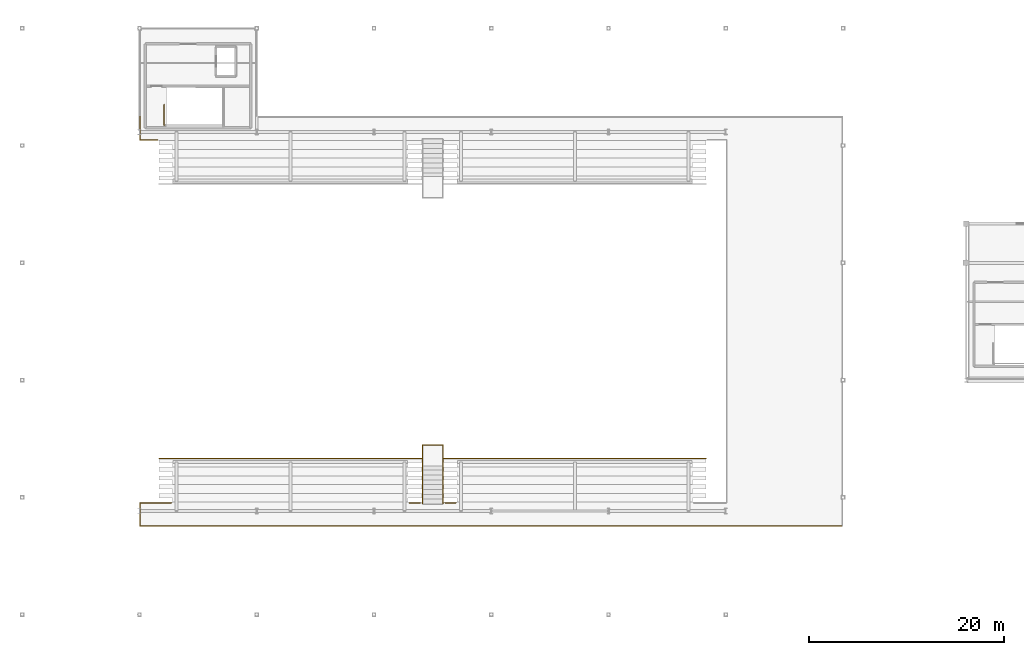
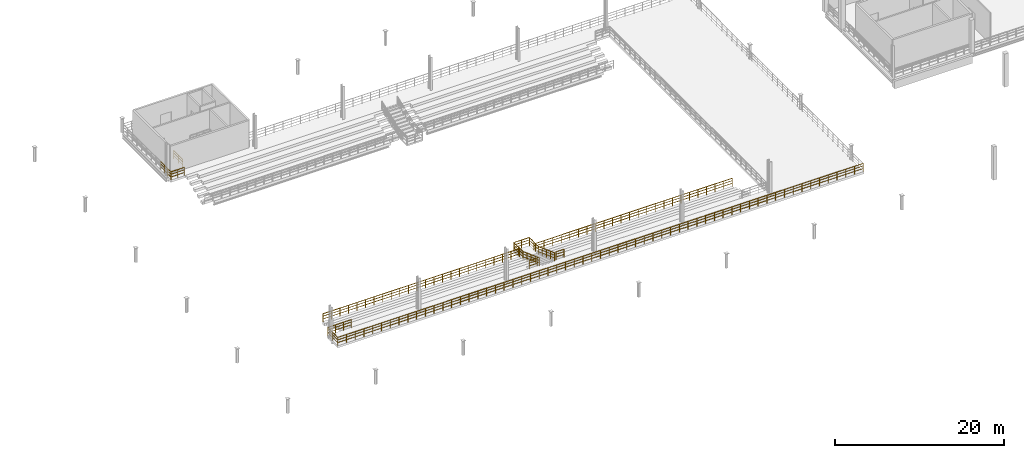
# One storey, part 45 of 52: 15 railings.
"""IFC4 building model written with IfcOpenShell, lengths in metres."""

from ifc_helpers import new_model, si_unit, direction, frame, origin, origin_2d, place, context, subcontext, project, spatial, circle, extrude, material, layer, layer_set, type_object, element, save


model = new_model("IFC4")

# Units and contexts
model_context = context("Model", 3, precision=1e-05, world=origin(), true_north=direction((0.0, 1.0)))
body_context = subcontext(model_context, "Body", "Model", "MODEL_VIEW")
ifc_project = project(units=[si_unit("LENGTHUNIT", "METRE"), si_unit("AREAUNIT", "SQUARE_METRE"), si_unit("VOLUMEUNIT", "CUBIC_METRE"), si_unit("PLANEANGLEUNIT", "RADIAN"), si_unit("MASSUNIT", "GRAM", prefix="KILO"), si_unit("THERMODYNAMICTEMPERATUREUNIT", "KELVIN"), si_unit("POWERUNIT", "WATT")], contexts=[model_context])

# Site, building, storey
site_placement = place(None, origin())
site = spatial("IfcSite", under=ifc_project, at=site_placement, CompositionType="ELEMENT")
building_placement = place(site_placement, origin())
building = spatial("IfcBuilding", under=site, at=building_placement, Name="Solmara Park Aquatics Centre", CompositionType="ELEMENT")
storey_placement = place(building_placement, frame((0.0, 0.0, 9.60009765625)))
storey = spatial("IfcBuildingStorey", under=building, at=storey_placement, Name="L02", CompositionType="ELEMENT", Elevation=9.60009765625)

# Railings
ifc_material_1 = material(Name="Toughened Glass and Stainless Steel Stand Guardrail", Category="steel")
ifc_layer_1 = layer(ifc_material_1, 0.06005859375, Name="Toughened Glass and Stainless Steel Stand Guardrail")
ifc_layer_set_1 = layer_set([ifc_layer_1], Name="Toughened Glass and Stainless Steel Stand Guardrail")
railing_type_1 = type_object("IfcRailingType", Name="ARC-RL-STD110", PredefinedType="GUARDRAIL", material=ifc_layer_set_1)
railing_1_placement = place(storey_placement, frame((26.60009765625, 28.550048828125, -1.440185546875)))
element("IfcRailing", 1, at=railing_1_placement, inside=storey, type_object=railing_type_1, Name="Upper South Stand Front Guardrail 8", PredefinedType="GUARDRAIL", context=body_context, shape_type="SweptSolid", body=[
    extrude(circle(Radius=0.02392578125, at=origin_2d()), frame((0.0, 0.0, 1.15576171875), z_axis=(1.0, 0.0, 0.0), x_axis=(0.0, 1.0, 0.0)), (0.0, 0.0, 1.0), 26.89990234375),
    extrude(circle(Radius=0.01416015625, at=origin_2d()), frame((0.0, 0.0, 0.4130859375), z_axis=(1.0, 0.0, 0.0), x_axis=(0.0, 1.0, 0.0)), (0.0, 0.0, 1.0), 26.89990234375),
    extrude(circle(Radius=0.01416015625, at=origin_2d()), frame((0.0, 0.0, 0.80224609375), z_axis=(1.0, 0.0, 0.0), x_axis=(0.0, 1.0, 0.0)), (0.0, 0.0, 1.0), 26.89990234375),
    extrude(circle(Radius=0.02099609375, at=origin_2d()), origin(), (0.0, 0.0, 1.0), 1.1318359375),
    extrude(circle(Radius=0.02099609375, at=origin_2d()), frame((1.169677734375, 0.0, 0.0)), (0.0, 0.0, 1.0), 1.1318359375),
    extrude(circle(Radius=0.02099609375, at=origin_2d()), frame((2.339111328125, 0.0, 0.0)), (0.0, 0.0, 1.0), 1.1318359375),
    extrude(circle(Radius=0.02099609375, at=origin_2d()), frame((3.5087890625, 0.0, 0.0)), (0.0, 0.0, 1.0), 1.1318359375),
    extrude(circle(Radius=0.02099609375, at=origin_2d()), frame((4.67822265625, 0.0, 0.0)), (0.0, 0.0, 1.0), 1.1318359375),
    extrude(circle(Radius=0.02099609375, at=origin_2d()), frame((5.847900390625, 0.0, 0.0)), (0.0, 0.0, 1.0), 1.1318359375),
    extrude(circle(Radius=0.02099609375, at=origin_2d()), frame((7.017333984375, 0.0, 0.0)), (0.0, 0.0, 1.0), 1.1318359375),
    extrude(circle(Radius=0.02099609375, at=origin_2d()), frame((8.18701171875, 0.0, 0.0)), (0.0, 0.0, 1.0), 1.1318359375),
    extrude(circle(Radius=0.02099609375, at=origin_2d()), frame((9.3564453125, 0.0, 0.0)), (0.0, 0.0, 1.0), 1.1318359375),
    extrude(circle(Radius=0.02099609375, at=origin_2d()), frame((10.526123046875, 0.0, 0.0)), (0.0, 0.0, 1.0), 1.1318359375),
    extrude(circle(Radius=0.02099609375, at=origin_2d()), frame((11.695556640625, 0.0, 0.0)), (0.0, 0.0, 1.0), 1.1318359375),
    extrude(circle(Radius=0.02099609375, at=origin_2d()), frame((12.865234375, 0.0, 0.0)), (0.0, 0.0, 1.0), 1.1318359375),
    extrude(circle(Radius=0.02099609375, at=origin_2d()), frame((14.03466796875, 0.0, 0.0)), (0.0, 0.0, 1.0), 1.1318359375),
    extrude(circle(Radius=0.02099609375, at=origin_2d()), frame((15.204345703125, 0.0, 0.0)), (0.0, 0.0, 1.0), 1.1318359375),
    extrude(circle(Radius=0.02099609375, at=origin_2d()), frame((16.373779296875, 0.0, 0.0)), (0.0, 0.0, 1.0), 1.1318359375),
    extrude(circle(Radius=0.02099609375, at=origin_2d()), frame((17.54345703125, 0.0, 0.0)), (0.0, 0.0, 1.0), 1.1318359375),
    extrude(circle(Radius=0.02099609375, at=origin_2d()), frame((18.712890625, 0.0, 0.0)), (0.0, 0.0, 1.0), 1.1318359375),
    extrude(circle(Radius=0.02099609375, at=origin_2d()), frame((19.882568359375, 0.0, 0.0)), (0.0, 0.0, 1.0), 1.1318359375),
    extrude(circle(Radius=0.02099609375, at=origin_2d()), frame((21.052001953125, 0.0, 0.0)), (0.0, 0.0, 1.0), 1.1318359375),
    extrude(circle(Radius=0.02099609375, at=origin_2d()), frame((22.2216796875, 0.0, 0.0)), (0.0, 0.0, 1.0), 1.1318359375),
    extrude(circle(Radius=0.02099609375, at=origin_2d()), frame((23.39111328125, 0.0, 0.0)), (0.0, 0.0, 1.0), 1.1318359375),
    extrude(circle(Radius=0.02099609375, at=origin_2d()), frame((24.560791015625, 0.0, 0.0)), (0.0, 0.0, 1.0), 1.1318359375),
    extrude(circle(Radius=0.02099609375, at=origin_2d()), frame((25.730224609375, 0.0, 0.0)), (0.0, 0.0, 1.0), 1.1318359375),
    extrude(circle(Radius=0.02099609375, at=origin_2d()), frame((26.89990234375, 0.0, 0.0)), (0.0, 0.0, 1.0), 1.1318359375),
])
railing_2_placement = place(storey_placement, frame((55.699951171875, 28.550048828125, -1.440185546875)))
element("IfcRailing", 2, at=railing_2_placement, inside=storey, type_object=railing_type_1, Name="Upper South Stand Front Guardrail 10", PredefinedType="GUARDRAIL", context=body_context, shape_type="SweptSolid", body=[
    extrude(circle(Radius=0.02392578125, at=origin_2d()), frame((0.0, 0.0, 1.15576171875), z_axis=(1.0, 0.0, 0.0), x_axis=(0.0, 1.0, 0.0)), (0.0, 0.0, 1.0), 26.900146484375),
    extrude(circle(Radius=0.01416015625, at=origin_2d()), frame((0.0, 0.0, 0.4130859375), z_axis=(1.0, 0.0, 0.0), x_axis=(0.0, 1.0, 0.0)), (0.0, 0.0, 1.0), 26.900146484375),
    extrude(circle(Radius=0.01416015625, at=origin_2d()), frame((0.0, 0.0, 0.80224609375), z_axis=(1.0, 0.0, 0.0), x_axis=(0.0, 1.0, 0.0)), (0.0, 0.0, 1.0), 26.900146484375),
    extrude(circle(Radius=0.02099609375, at=origin_2d()), origin(), (0.0, 0.0, 1.0), 1.1318359375),
    extrude(circle(Radius=0.02099609375, at=origin_2d()), frame((1.169677734375, 0.0, 0.0)), (0.0, 0.0, 1.0), 1.1318359375),
    extrude(circle(Radius=0.02099609375, at=origin_2d()), frame((2.339111328125, 0.0, 0.0)), (0.0, 0.0, 1.0), 1.1318359375),
    extrude(circle(Radius=0.02099609375, at=origin_2d()), frame((3.5087890625, 0.0, 0.0)), (0.0, 0.0, 1.0), 1.1318359375),
    extrude(circle(Radius=0.02099609375, at=origin_2d()), frame((4.67822265625, 0.0, 0.0)), (0.0, 0.0, 1.0), 1.1318359375),
    extrude(circle(Radius=0.02099609375, at=origin_2d()), frame((5.847900390625, 0.0, 0.0)), (0.0, 0.0, 1.0), 1.1318359375),
    extrude(circle(Radius=0.02099609375, at=origin_2d()), frame((7.017333984375, 0.0, 0.0)), (0.0, 0.0, 1.0), 1.1318359375),
    extrude(circle(Radius=0.02099609375, at=origin_2d()), frame((8.18701171875, 0.0, 0.0)), (0.0, 0.0, 1.0), 1.1318359375),
    extrude(circle(Radius=0.02099609375, at=origin_2d()), frame((9.356689453125, 0.0, 0.0)), (0.0, 0.0, 1.0), 1.1318359375),
    extrude(circle(Radius=0.02099609375, at=origin_2d()), frame((10.526123046875, 0.0, 0.0)), (0.0, 0.0, 1.0), 1.1318359375),
    extrude(circle(Radius=0.02099609375, at=origin_2d()), frame((11.69580078125, 0.0, 0.0)), (0.0, 0.0, 1.0), 1.1318359375),
    extrude(circle(Radius=0.02099609375, at=origin_2d()), frame((12.865234375, 0.0, 0.0)), (0.0, 0.0, 1.0), 1.1318359375),
    extrude(circle(Radius=0.02099609375, at=origin_2d()), frame((14.034912109375, 0.0, 0.0)), (0.0, 0.0, 1.0), 1.1318359375),
    extrude(circle(Radius=0.02099609375, at=origin_2d()), frame((15.204345703125, 0.0, 0.0)), (0.0, 0.0, 1.0), 1.1318359375),
    extrude(circle(Radius=0.02099609375, at=origin_2d()), frame((16.3740234375, 0.0, 0.0)), (0.0, 0.0, 1.0), 1.1318359375),
    extrude(circle(Radius=0.02099609375, at=origin_2d()), frame((17.54345703125, 0.0, 0.0)), (0.0, 0.0, 1.0), 1.1318359375),
    extrude(circle(Radius=0.02099609375, at=origin_2d()), frame((18.713134765625, 0.0, 0.0)), (0.0, 0.0, 1.0), 1.1318359375),
    extrude(circle(Radius=0.02099609375, at=origin_2d()), frame((19.8828125, 0.0, 0.0)), (0.0, 0.0, 1.0), 1.1318359375),
    extrude(circle(Radius=0.02099609375, at=origin_2d()), frame((21.05224609375, 0.0, 0.0)), (0.0, 0.0, 1.0), 1.1318359375),
    extrude(circle(Radius=0.02099609375, at=origin_2d()), frame((22.221923828125, 0.0, 0.0)), (0.0, 0.0, 1.0), 1.1318359375),
    extrude(circle(Radius=0.02099609375, at=origin_2d()), frame((23.391357421875, 0.0, 0.0)), (0.0, 0.0, 1.0), 1.1318359375),
    extrude(circle(Radius=0.02099609375, at=origin_2d()), frame((24.56103515625, 0.0, 0.0)), (0.0, 0.0, 1.0), 1.1318359375),
    extrude(circle(Radius=0.02099609375, at=origin_2d()), frame((25.73046875, 0.0, 0.0)), (0.0, 0.0, 1.0), 1.1318359375),
    extrude(circle(Radius=0.02099609375, at=origin_2d()), frame((26.900146484375, 0.0, 0.0)), (0.0, 0.0, 1.0), 1.1318359375),
])
railing_3_placement = place(storey_placement, frame((24.659912109375, 21.659912109375, 0.0)))
element("IfcRailing", 3, at=railing_3_placement, inside=storey, type_object=railing_type_1, Name="L02 Slab Edge Guardrail 080", PredefinedType="GUARDRAIL", context=body_context, shape_type="SweptSolid", body=[
    extrude(circle(Radius=0.02392578125, at=origin_2d()), frame((0.0, 0.0, 1.15576171875), z_axis=(0.0, 1.0, 0.0), x_axis=(-1.0, 0.0, 0.0)), (0.0, 0.0, 1.0), 2.380126953125),
    extrude(circle(Radius=0.01416015625, at=origin_2d()), frame((0.0, 0.0, 0.4130859375), z_axis=(0.0, 1.0, 0.0), x_axis=(-1.0, 0.0, 0.0)), (0.0, 0.0, 1.0), 2.380126953125),
    extrude(circle(Radius=0.01416015625, at=origin_2d()), frame((0.0, 0.0, 0.80224609375), z_axis=(0.0, 1.0, 0.0), x_axis=(-1.0, 0.0, 0.0)), (0.0, 0.0, 1.0), 2.380126953125),
    extrude(circle(Radius=0.02099609375, at=origin_2d()), origin(), (0.0, 0.0, 1.0), 1.1318359375),
    extrude(circle(Radius=0.02099609375, at=origin_2d()), frame((0.0, 1.18994140625, 0.0)), (0.0, 0.0, 1.0), 1.1318359375),
    extrude(circle(Radius=0.02099609375, at=origin_2d()), frame((0.0, 2.380126953125, 0.0)), (0.0, 0.0, 1.0), 1.1318359375),
])
railing_4_placement = place(storey_placement, frame((24.659912109375, 24.0400390625, 0.0)))
element("IfcRailing", 4, at=railing_4_placement, inside=storey, type_object=railing_type_1, Name="L02 Slab Edge Guardrail 081", PredefinedType="GUARDRAIL", context=body_context, shape_type="SweptSolid", body=[
    extrude(circle(Radius=0.02392578125, at=origin_2d()), frame((0.0, 0.0, 1.15576171875), z_axis=(1.0, 0.0, 0.0), x_axis=(0.0, 1.0, 0.0)), (0.0, 0.0, 1.0), 3.2138671875),
    extrude(circle(Radius=0.01416015625, at=origin_2d()), frame((0.0, 0.0, 0.4130859375), z_axis=(1.0, 0.0, 0.0), x_axis=(0.0, 1.0, 0.0)), (0.0, 0.0, 1.0), 3.2138671875),
    extrude(circle(Radius=0.01416015625, at=origin_2d()), frame((0.0, 0.0, 0.80224609375), z_axis=(1.0, 0.0, 0.0), x_axis=(0.0, 1.0, 0.0)), (0.0, 0.0, 1.0), 3.2138671875),
    extrude(circle(Radius=0.02099609375, at=origin_2d()), origin(), (0.0, 0.0, 1.0), 1.1318359375),
    extrude(circle(Radius=0.02099609375, at=origin_2d()), frame((1.0712890625, 0.0, 0.0)), (0.0, 0.0, 1.0), 1.1318359375),
    extrude(circle(Radius=0.02099609375, at=origin_2d()), frame((2.142578125, 0.0, 0.0)), (0.0, 0.0, 1.0), 1.1318359375),
    extrude(circle(Radius=0.02099609375, at=origin_2d()), frame((3.2138671875, 0.0, 0.0)), (0.0, 0.0, 1.0), 1.1318359375),
])
railing_5_placement = place(storey_placement, frame((52.226318359375, 24.0400390625, 0.0)))
element("IfcRailing", 5, at=railing_5_placement, inside=storey, type_object=railing_type_1, Name="L02 Slab Edge Guardrail 082", PredefinedType="GUARDRAIL", context=body_context, shape_type="SweptSolid", body=[
    extrude(circle(Radius=0.02392578125, at=origin_2d()), frame((0.0, 0.0, 1.15576171875), z_axis=(1.0, 0.0, 0.0), x_axis=(0.0, 1.0, 0.0)), (0.0, 0.0, 1.0), 1.103759765625),
    extrude(circle(Radius=0.01416015625, at=origin_2d()), frame((0.0, 0.0, 0.4130859375), z_axis=(1.0, 0.0, 0.0), x_axis=(0.0, 1.0, 0.0)), (0.0, 0.0, 1.0), 1.103759765625),
    extrude(circle(Radius=0.01416015625, at=origin_2d()), frame((0.0, 0.0, 0.80224609375), z_axis=(1.0, 0.0, 0.0), x_axis=(0.0, 1.0, 0.0)), (0.0, 0.0, 1.0), 1.103759765625),
    extrude(circle(Radius=0.02099609375, at=origin_2d()), origin(), (0.0, 0.0, 1.0), 1.1318359375),
    extrude(circle(Radius=0.02099609375, at=origin_2d()), frame((1.103759765625, 0.0, 0.0)), (0.0, 0.0, 1.0), 1.1318359375),
])
railing_6_placement = place(storey_placement, frame((55.8701171875, 24.0400390625, 0.0)))
element("IfcRailing", 6, at=railing_6_placement, inside=storey, type_object=railing_type_1, Name="L02 Slab Edge Guardrail 083", PredefinedType="GUARDRAIL", context=body_context, shape_type="SweptSolid", body=[
    extrude(circle(Radius=0.02392578125, at=origin_2d()), frame((0.0, 0.0, 1.15576171875), z_axis=(1.0, 0.0, 0.0), x_axis=(0.0, 1.0, 0.0)), (0.0, 0.0, 1.0), 1.103515625),
    extrude(circle(Radius=0.01416015625, at=origin_2d()), frame((0.0, 0.0, 0.4130859375), z_axis=(1.0, 0.0, 0.0), x_axis=(0.0, 1.0, 0.0)), (0.0, 0.0, 1.0), 1.103515625),
    extrude(circle(Radius=0.01416015625, at=origin_2d()), frame((0.0, 0.0, 0.80224609375), z_axis=(1.0, 0.0, 0.0), x_axis=(0.0, 1.0, 0.0)), (0.0, 0.0, 1.0), 1.103515625),
    extrude(circle(Radius=0.02099609375, at=origin_2d()), origin(), (0.0, 0.0, 1.0), 1.1318359375),
    extrude(circle(Radius=0.02099609375, at=origin_2d()), frame((1.103515625, 0.0, 0.0)), (0.0, 0.0, 1.0), 1.1318359375),
])
railing_7_placement = place(storey_placement, frame((26.4736328125, 61.159912109375, 0.0)))
element("IfcRailing", 7, at=railing_7_placement, inside=storey, type_object=railing_type_1, Name="L02 Slab Edge Guardrail 087", PredefinedType="GUARDRAIL", context=body_context, shape_type="SweptSolid", body=[
    extrude(circle(Radius=0.02392578125, at=origin_2d()), frame((0.0, 0.0, 1.15576171875), z_axis=(-1.0, 0.0, 0.0), x_axis=(0.0, -1.0, 0.0)), (0.0, 0.0, 1.0), 1.813720703125),
    extrude(circle(Radius=0.01416015625, at=origin_2d()), frame((0.0, 0.0, 0.4130859375), z_axis=(-1.0, 0.0, 0.0), x_axis=(0.0, -1.0, 0.0)), (0.0, 0.0, 1.0), 1.813720703125),
    extrude(circle(Radius=0.01416015625, at=origin_2d()), frame((0.0, 0.0, 0.80224609375), z_axis=(-1.0, 0.0, 0.0), x_axis=(0.0, -1.0, 0.0)), (0.0, 0.0, 1.0), 1.813720703125),
    extrude(circle(Radius=0.02099609375, at=origin_2d()), origin(), (0.0, 0.0, 1.0), 1.1318359375),
    extrude(circle(Radius=0.02099609375, at=origin_2d()), frame((-0.90673828125, 0.0, 0.0)), (0.0, 0.0, 1.0), 1.1318359375),
    extrude(circle(Radius=0.02099609375, at=origin_2d()), frame((-1.813720703125, 0.0, 0.0)), (0.0, 0.0, 1.0), 1.1318359375),
])
railing_8_placement = place(storey_placement, frame((24.659912109375, 61.159912109375, 0.0)))
element("IfcRailing", 8, at=railing_8_placement, inside=storey, type_object=railing_type_1, Name="L02 Slab Edge Guardrail 088", PredefinedType="GUARDRAIL", context=body_context, shape_type="SweptSolid", body=[
    extrude(circle(Radius=0.02392578125, at=origin_2d()), frame((0.0, 0.0, 1.15576171875), z_axis=(0.0, 1.0, 0.0), x_axis=(-1.0, 0.0, 0.0)), (0.0, 0.0, 1.0), 2.440185546875),
    extrude(circle(Radius=0.01416015625, at=origin_2d()), frame((0.0, 0.0, 0.4130859375), z_axis=(0.0, 1.0, 0.0), x_axis=(-1.0, 0.0, 0.0)), (0.0, 0.0, 1.0), 2.440185546875),
    extrude(circle(Radius=0.01416015625, at=origin_2d()), frame((0.0, 0.0, 0.80224609375), z_axis=(0.0, 1.0, 0.0), x_axis=(-1.0, 0.0, 0.0)), (0.0, 0.0, 1.0), 2.440185546875),
    extrude(circle(Radius=0.02099609375, at=origin_2d()), origin(), (0.0, 0.0, 1.0), 1.1318359375),
    extrude(circle(Radius=0.02099609375, at=origin_2d()), frame((0.0, 0.8134765625, 0.0)), (0.0, 0.0, 1.0), 1.1318359375),
    extrude(circle(Radius=0.02099609375, at=origin_2d()), frame((0.0, 1.626708984375, 0.0)), (0.0, 0.0, 1.0), 1.1318359375),
    extrude(circle(Radius=0.02099609375, at=origin_2d()), frame((0.0, 2.440185546875, 0.0)), (0.0, 0.0, 1.0), 1.1318359375),
])
railing_9_placement = place(storey_placement, frame((96.5400390625, 21.659912109375, 0.0)))
element("IfcRailing", 9, at=railing_9_placement, inside=storey, type_object=railing_type_1, Name="L02 Slab Edge Guardrail 091", PredefinedType="GUARDRAIL", context=body_context, shape_type="SweptSolid", body=[
    extrude(circle(Radius=0.02392578125, at=origin_2d()), frame((0.0, 0.0, 1.15576171875), z_axis=(-1.0, 0.0, 0.0), x_axis=(0.0, -1.0, 0.0)), (0.0, 0.0, 1.0), 71.880126953125),
    extrude(circle(Radius=0.01416015625, at=origin_2d()), frame((0.0, 0.0, 0.4130859375), z_axis=(-1.0, 0.0, 0.0), x_axis=(0.0, -1.0, 0.0)), (0.0, 0.0, 1.0), 71.880126953125),
    extrude(circle(Radius=0.01416015625, at=origin_2d()), frame((0.0, 0.0, 0.80224609375), z_axis=(-1.0, 0.0, 0.0), x_axis=(0.0, -1.0, 0.0)), (0.0, 0.0, 1.0), 71.880126953125),
    extrude(circle(Radius=0.02099609375, at=origin_2d()), origin(), (0.0, 0.0, 1.0), 1.1318359375),
    extrude(circle(Radius=0.02099609375, at=origin_2d()), frame((-1.197998046875, 0.0, 0.0)), (0.0, 0.0, 1.0), 1.1318359375),
    extrude(circle(Radius=0.02099609375, at=origin_2d()), frame((-2.39599609375, 0.0, 0.0)), (0.0, 0.0, 1.0), 1.1318359375),
    extrude(circle(Radius=0.02099609375, at=origin_2d()), frame((-3.593994140625, 0.0, 0.0)), (0.0, 0.0, 1.0), 1.1318359375),
    extrude(circle(Radius=0.02099609375, at=origin_2d()), frame((-4.7919921875, 0.0, 0.0)), (0.0, 0.0, 1.0), 1.1318359375),
    extrude(circle(Radius=0.02099609375, at=origin_2d()), frame((-5.989990234375, 0.0, 0.0)), (0.0, 0.0, 1.0), 1.1318359375),
    extrude(circle(Radius=0.02099609375, at=origin_2d()), frame((-7.18798828125, 0.0, 0.0)), (0.0, 0.0, 1.0), 1.1318359375),
    extrude(circle(Radius=0.02099609375, at=origin_2d()), frame((-8.385986328125, 0.0, 0.0)), (0.0, 0.0, 1.0), 1.1318359375),
    extrude(circle(Radius=0.02099609375, at=origin_2d()), frame((-9.583984375, 0.0, 0.0)), (0.0, 0.0, 1.0), 1.1318359375),
    extrude(circle(Radius=0.02099609375, at=origin_2d()), frame((-10.781982421875, 0.0, 0.0)), (0.0, 0.0, 1.0), 1.1318359375),
    extrude(circle(Radius=0.02099609375, at=origin_2d()), frame((-11.97998046875, 0.0, 0.0)), (0.0, 0.0, 1.0), 1.1318359375),
    extrude(circle(Radius=0.02099609375, at=origin_2d()), frame((-13.177978515625, 0.0, 0.0)), (0.0, 0.0, 1.0), 1.1318359375),
    extrude(circle(Radius=0.02099609375, at=origin_2d()), frame((-14.3759765625, 0.0, 0.0)), (0.0, 0.0, 1.0), 1.1318359375),
    extrude(circle(Radius=0.02099609375, at=origin_2d()), frame((-15.573974609375, 0.0, 0.0)), (0.0, 0.0, 1.0), 1.1318359375),
    extrude(circle(Radius=0.02099609375, at=origin_2d()), frame((-16.77197265625, 0.0, 0.0)), (0.0, 0.0, 1.0), 1.1318359375),
    extrude(circle(Radius=0.02099609375, at=origin_2d()), frame((-17.969970703125, 0.0, 0.0)), (0.0, 0.0, 1.0), 1.1318359375),
    extrude(circle(Radius=0.02099609375, at=origin_2d()), frame((-19.16796875, 0.0, 0.0)), (0.0, 0.0, 1.0), 1.1318359375),
    extrude(circle(Radius=0.02099609375, at=origin_2d()), frame((-20.365966796875, 0.0, 0.0)), (0.0, 0.0, 1.0), 1.1318359375),
    extrude(circle(Radius=0.02099609375, at=origin_2d()), frame((-21.56396484375, 0.0, 0.0)), (0.0, 0.0, 1.0), 1.1318359375),
    extrude(circle(Radius=0.02099609375, at=origin_2d()), frame((-22.761962890625, 0.0, 0.0)), (0.0, 0.0, 1.0), 1.1318359375),
    extrude(circle(Radius=0.02099609375, at=origin_2d()), frame((-23.9599609375, 0.0, 0.0)), (0.0, 0.0, 1.0), 1.1318359375),
    extrude(circle(Radius=0.02099609375, at=origin_2d()), frame((-25.157958984375, 0.0, 0.0)), (0.0, 0.0, 1.0), 1.1318359375),
    extrude(circle(Radius=0.02099609375, at=origin_2d()), frame((-26.35595703125, 0.0, 0.0)), (0.0, 0.0, 1.0), 1.1318359375),
    extrude(circle(Radius=0.02099609375, at=origin_2d()), frame((-27.553955078125, 0.0, 0.0)), (0.0, 0.0, 1.0), 1.1318359375),
    extrude(circle(Radius=0.02099609375, at=origin_2d()), frame((-28.751953125, 0.0, 0.0)), (0.0, 0.0, 1.0), 1.1318359375),
    extrude(circle(Radius=0.02099609375, at=origin_2d()), frame((-29.949951171875, 0.0, 0.0)), (0.0, 0.0, 1.0), 1.1318359375),
    extrude(circle(Radius=0.02099609375, at=origin_2d()), frame((-31.14794921875, 0.0, 0.0)), (0.0, 0.0, 1.0), 1.1318359375),
    extrude(circle(Radius=0.02099609375, at=origin_2d()), frame((-32.345947265625, 0.0, 0.0)), (0.0, 0.0, 1.0), 1.1318359375),
    extrude(circle(Radius=0.02099609375, at=origin_2d()), frame((-33.5439453125, 0.0, 0.0)), (0.0, 0.0, 1.0), 1.1318359375),
    extrude(circle(Radius=0.02099609375, at=origin_2d()), frame((-34.741943359375, 0.0, 0.0)), (0.0, 0.0, 1.0), 1.1318359375),
    extrude(circle(Radius=0.02099609375, at=origin_2d()), frame((-35.93994140625, 0.0, 0.0)), (0.0, 0.0, 1.0), 1.1318359375),
    extrude(circle(Radius=0.02099609375, at=origin_2d()), frame((-37.13818359375, 0.0, 0.0)), (0.0, 0.0, 1.0), 1.1318359375),
    extrude(circle(Radius=0.02099609375, at=origin_2d()), frame((-38.336181640625, 0.0, 0.0)), (0.0, 0.0, 1.0), 1.1318359375),
    extrude(circle(Radius=0.02099609375, at=origin_2d()), frame((-39.5341796875, 0.0, 0.0)), (0.0, 0.0, 1.0), 1.1318359375),
    extrude(circle(Radius=0.02099609375, at=origin_2d()), frame((-40.732177734375, 0.0, 0.0)), (0.0, 0.0, 1.0), 1.1318359375),
    extrude(circle(Radius=0.02099609375, at=origin_2d()), frame((-41.93017578125, 0.0, 0.0)), (0.0, 0.0, 1.0), 1.1318359375),
    extrude(circle(Radius=0.02099609375, at=origin_2d()), frame((-43.128173828125, 0.0, 0.0)), (0.0, 0.0, 1.0), 1.1318359375),
    extrude(circle(Radius=0.02099609375, at=origin_2d()), frame((-44.326171875, 0.0, 0.0)), (0.0, 0.0, 1.0), 1.1318359375),
    extrude(circle(Radius=0.02099609375, at=origin_2d()), frame((-45.524169921875, 0.0, 0.0)), (0.0, 0.0, 1.0), 1.1318359375),
    extrude(circle(Radius=0.02099609375, at=origin_2d()), frame((-46.72216796875, 0.0, 0.0)), (0.0, 0.0, 1.0), 1.1318359375),
    extrude(circle(Radius=0.02099609375, at=origin_2d()), frame((-47.920166015625, 0.0, 0.0)), (0.0, 0.0, 1.0), 1.1318359375),
    extrude(circle(Radius=0.02099609375, at=origin_2d()), frame((-49.1181640625, 0.0, 0.0)), (0.0, 0.0, 1.0), 1.1318359375),
    extrude(circle(Radius=0.02099609375, at=origin_2d()), frame((-50.316162109375, 0.0, 0.0)), (0.0, 0.0, 1.0), 1.1318359375),
    extrude(circle(Radius=0.02099609375, at=origin_2d()), frame((-51.51416015625, 0.0, 0.0)), (0.0, 0.0, 1.0), 1.1318359375),
    extrude(circle(Radius=0.02099609375, at=origin_2d()), frame((-52.712158203125, 0.0, 0.0)), (0.0, 0.0, 1.0), 1.1318359375),
    extrude(circle(Radius=0.02099609375, at=origin_2d()), frame((-53.91015625, 0.0, 0.0)), (0.0, 0.0, 1.0), 1.1318359375),
    extrude(circle(Radius=0.02099609375, at=origin_2d()), frame((-55.108154296875, 0.0, 0.0)), (0.0, 0.0, 1.0), 1.1318359375),
    extrude(circle(Radius=0.02099609375, at=origin_2d()), frame((-56.30615234375, 0.0, 0.0)), (0.0, 0.0, 1.0), 1.1318359375),
    extrude(circle(Radius=0.02099609375, at=origin_2d()), frame((-57.504150390625, 0.0, 0.0)), (0.0, 0.0, 1.0), 1.1318359375),
    extrude(circle(Radius=0.02099609375, at=origin_2d()), frame((-58.7021484375, 0.0, 0.0)), (0.0, 0.0, 1.0), 1.1318359375),
    extrude(circle(Radius=0.02099609375, at=origin_2d()), frame((-59.900146484375, 0.0, 0.0)), (0.0, 0.0, 1.0), 1.1318359375),
    extrude(circle(Radius=0.02099609375, at=origin_2d()), frame((-61.09814453125, 0.0, 0.0)), (0.0, 0.0, 1.0), 1.1318359375),
    extrude(circle(Radius=0.02099609375, at=origin_2d()), frame((-62.296142578125, 0.0, 0.0)), (0.0, 0.0, 1.0), 1.1318359375),
    extrude(circle(Radius=0.02099609375, at=origin_2d()), frame((-63.494140625, 0.0, 0.0)), (0.0, 0.0, 1.0), 1.1318359375),
    extrude(circle(Radius=0.02099609375, at=origin_2d()), frame((-64.692138671875, 0.0, 0.0)), (0.0, 0.0, 1.0), 1.1318359375),
    extrude(circle(Radius=0.02099609375, at=origin_2d()), frame((-65.89013671875, 0.0, 0.0)), (0.0, 0.0, 1.0), 1.1318359375),
    extrude(circle(Radius=0.02099609375, at=origin_2d()), frame((-67.088134765625, 0.0, 0.0)), (0.0, 0.0, 1.0), 1.1318359375),
    extrude(circle(Radius=0.02099609375, at=origin_2d()), frame((-68.2861328125, 0.0, 0.0)), (0.0, 0.0, 1.0), 1.1318359375),
    extrude(circle(Radius=0.02099609375, at=origin_2d()), frame((-69.484130859375, 0.0, 0.0)), (0.0, 0.0, 1.0), 1.1318359375),
    extrude(circle(Radius=0.02099609375, at=origin_2d()), frame((-70.68212890625, 0.0, 0.0)), (0.0, 0.0, 1.0), 1.1318359375),
    extrude(circle(Radius=0.02099609375, at=origin_2d()), frame((-71.880126953125, 0.0, 0.0)), (0.0, 0.0, 1.0), 1.1318359375),
])
ifc_material_2 = material(Name="Brushed Stainless Steel Guardrail", Category="steel")
ifc_layer_2 = layer(ifc_material_2, 0.050048828125, Name="Brushed Stainless Steel Guardrail")
ifc_layer_set_2 = layer_set([ifc_layer_2], Name="Brushed Stainless Steel Guardrail")
railing_type_2 = type_object("IfcRailingType", Name="ARC-RL-STR110", PredefinedType="GUARDRAIL", material=ifc_layer_set_2)
railing_10_placement = place(storey_placement, frame((27.1298828125, 62.669921875, 0.0)))
element("IfcRailing", 10, at=railing_10_placement, inside=storey, type_object=railing_type_2, Name="ST-04 Protected Exit Stair (L01 to L02) Arrival Well Guardrail", PredefinedType="GUARDRAIL", context=body_context, shape_type="SweptSolid", body=[
    extrude(circle(Radius=0.02392578125, at=origin_2d()), frame((0.0, 0.0, 1.15576171875), z_axis=(0.0, 1.0, 0.0), x_axis=(-1.0, 0.0, 0.0)), (0.0, 0.0, 1.0), 2.1201171875),
    extrude(circle(Radius=0.01416015625, at=origin_2d()), frame((0.0, 0.0, 0.4130859375), z_axis=(0.0, 1.0, 0.0), x_axis=(-1.0, 0.0, 0.0)), (0.0, 0.0, 1.0), 2.1201171875),
    extrude(circle(Radius=0.01416015625, at=origin_2d()), frame((0.0, 0.0, 0.80224609375), z_axis=(0.0, 1.0, 0.0), x_axis=(-1.0, 0.0, 0.0)), (0.0, 0.0, 1.0), 2.1201171875),
    extrude(circle(Radius=0.02099609375, at=origin_2d()), origin(), (0.0, 0.0, 1.0), 1.1318359375),
    extrude(circle(Radius=0.02099609375, at=origin_2d()), frame((0.0, 1.06005859375, 0.0)), (0.0, 0.0, 1.0), 1.1318359375),
    extrude(circle(Radius=0.02099609375, at=origin_2d()), frame((0.0, 2.1201171875, 0.0)), (0.0, 0.0, 1.0), 1.1318359375),
])
railing_11_placement = place(storey_placement, frame((53.550048828125, 27.85009765625, -1.440185546875)))
element("IfcRailing", 11, at=railing_11_placement, inside=storey, type_object=railing_type_2, Name="Vomitory Stair VS-06 Flight Guardrail 1", PredefinedType="GUARDRAIL", context=body_context, shape_type="SweptSolid", body=[
    extrude(circle(Radius=0.02392578125, at=origin_2d()), frame((0.0, 0.0, 1.15576171875), z_axis=(0.0, -0.938086199493, 0.346401908658), x_axis=(1.0, 0.0, 0.0)), (0.0, 0.0, 1.0), 4.157470703125),
    extrude(circle(Radius=0.01416015625, at=origin_2d()), frame((0.0, 0.0, 0.4130859375), z_axis=(0.0, -0.938086199493, 0.346401908658), x_axis=(1.0, 0.0, 0.0)), (0.0, 0.0, 1.0), 4.157470703125),
    extrude(circle(Radius=0.01416015625, at=origin_2d()), frame((0.0, 0.0, 0.80224609375), z_axis=(0.0, -0.938086199493, 0.346401908658), x_axis=(1.0, 0.0, 0.0)), (0.0, 0.0, 1.0), 4.157470703125),
    extrude(circle(Radius=0.02099609375, at=origin_2d()), origin(), (0.0, 0.0, 1.0), 1.1318359375),
    extrude(circle(Radius=0.02099609375, at=origin_2d()), frame((0.0, -0.97509765625, 0.360107421875)), (0.0, 0.0, 1.0), 1.1318359375),
    extrude(circle(Radius=0.02099609375, at=origin_2d()), frame((0.0, -1.9501953125, 0.72021484375)), (0.0, 0.0, 1.0), 1.1318359375),
    extrude(circle(Radius=0.02099609375, at=origin_2d()), frame((0.0, -2.925048828125, 1.080078125)), (0.0, 0.0, 1.0), 1.1318359375),
    extrude(circle(Radius=0.02099609375, at=origin_2d()), frame((0.0, -3.900146484375, 1.440185546875)), (0.0, 0.0, 1.0), 1.1318359375),
])
railing_12_placement = place(storey_placement, frame((53.550048828125, 27.830078125, -1.440185546875)))
element("IfcRailing", 12, at=railing_12_placement, inside=storey, type_object=railing_type_2, Name="Vomitory Stair VS-06 Landing Side Guardrail 1", PredefinedType="GUARDRAIL", context=body_context, shape_type="SweptSolid", body=[
    extrude(circle(Radius=0.02392578125, at=origin_2d()), frame((0.0, 0.0, 1.15576171875), z_axis=(0.0, 1.0, 0.0), x_axis=(-1.0, 0.0, 0.0)), (0.0, 0.0, 1.0), 2.099853515625),
    extrude(circle(Radius=0.01416015625, at=origin_2d()), frame((0.0, 0.0, 0.4130859375), z_axis=(0.0, 1.0, 0.0), x_axis=(-1.0, 0.0, 0.0)), (0.0, 0.0, 1.0), 2.099853515625),
    extrude(circle(Radius=0.01416015625, at=origin_2d()), frame((0.0, 0.0, 0.80224609375), z_axis=(0.0, 1.0, 0.0), x_axis=(-1.0, 0.0, 0.0)), (0.0, 0.0, 1.0), 2.099853515625),
    extrude(circle(Radius=0.02099609375, at=origin_2d()), origin(), (0.0, 0.0, 1.0), 1.1318359375),
    extrude(circle(Radius=0.02099609375, at=origin_2d()), frame((0.0, 1.0498046875, 0.0)), (0.0, 0.0, 1.0), 1.1318359375),
    extrude(circle(Radius=0.02099609375, at=origin_2d()), frame((0.0, 2.099853515625, 0.0)), (0.0, 0.0, 1.0), 1.1318359375),
])
railing_13_placement = place(storey_placement, frame((55.64990234375, 27.85009765625, -1.440185546875)))
element("IfcRailing", 13, at=railing_13_placement, inside=storey, type_object=railing_type_2, Name="Vomitory Stair VS-06 Flight Guardrail 2", PredefinedType="GUARDRAIL", context=body_context, shape_type="SweptSolid", body=[
    extrude(circle(Radius=0.02392578125, at=origin_2d()), frame((0.0, 0.0, 1.15576171875), z_axis=(0.0, -0.938086199493, 0.346401908658), x_axis=(1.0, 0.0, 0.0)), (0.0, 0.0, 1.0), 4.157470703125),
    extrude(circle(Radius=0.01416015625, at=origin_2d()), frame((0.0, 0.0, 0.4130859375), z_axis=(0.0, -0.938086199493, 0.346401908658), x_axis=(1.0, 0.0, 0.0)), (0.0, 0.0, 1.0), 4.157470703125),
    extrude(circle(Radius=0.01416015625, at=origin_2d()), frame((0.0, 0.0, 0.80224609375), z_axis=(0.0, -0.938086199493, 0.346401908658), x_axis=(1.0, 0.0, 0.0)), (0.0, 0.0, 1.0), 4.157470703125),
    extrude(circle(Radius=0.02099609375, at=origin_2d()), origin(), (0.0, 0.0, 1.0), 1.1318359375),
    extrude(circle(Radius=0.02099609375, at=origin_2d()), frame((0.0, -0.97509765625, 0.360107421875)), (0.0, 0.0, 1.0), 1.1318359375),
    extrude(circle(Radius=0.02099609375, at=origin_2d()), frame((0.0, -1.9501953125, 0.72021484375)), (0.0, 0.0, 1.0), 1.1318359375),
    extrude(circle(Radius=0.02099609375, at=origin_2d()), frame((0.0, -2.925048828125, 1.080078125)), (0.0, 0.0, 1.0), 1.1318359375),
    extrude(circle(Radius=0.02099609375, at=origin_2d()), frame((0.0, -3.900146484375, 1.440185546875)), (0.0, 0.0, 1.0), 1.1318359375),
])
railing_14_placement = place(storey_placement, frame((55.64990234375, 27.830078125, -1.440185546875)))
element("IfcRailing", 14, at=railing_14_placement, inside=storey, type_object=railing_type_2, Name="Vomitory Stair VS-06 Landing Side Guardrail 2", PredefinedType="GUARDRAIL", context=body_context, shape_type="SweptSolid", body=[
    extrude(circle(Radius=0.02392578125, at=origin_2d()), frame((0.0, 0.0, 1.15576171875), z_axis=(0.0, 1.0, 0.0), x_axis=(-1.0, 0.0, 0.0)), (0.0, 0.0, 1.0), 2.099853515625),
    extrude(circle(Radius=0.01416015625, at=origin_2d()), frame((0.0, 0.0, 0.4130859375), z_axis=(0.0, 1.0, 0.0), x_axis=(-1.0, 0.0, 0.0)), (0.0, 0.0, 1.0), 2.099853515625),
    extrude(circle(Radius=0.01416015625, at=origin_2d()), frame((0.0, 0.0, 0.80224609375), z_axis=(0.0, 1.0, 0.0), x_axis=(-1.0, 0.0, 0.0)), (0.0, 0.0, 1.0), 2.099853515625),
    extrude(circle(Radius=0.02099609375, at=origin_2d()), origin(), (0.0, 0.0, 1.0), 1.1318359375),
    extrude(circle(Radius=0.02099609375, at=origin_2d()), frame((0.0, 1.0498046875, 0.0)), (0.0, 0.0, 1.0), 1.1318359375),
    extrude(circle(Radius=0.02099609375, at=origin_2d()), frame((0.0, 2.099853515625, 0.0)), (0.0, 0.0, 1.0), 1.1318359375),
])
railing_15_placement = place(storey_placement, frame((53.550048828125, 29.969970703125, -1.440185546875)))
element("IfcRailing", 15, at=railing_15_placement, inside=storey, type_object=railing_type_2, Name="Vomitory Stair VS-06 Landing Front Guardrail", PredefinedType="GUARDRAIL", context=body_context, shape_type="SweptSolid", body=[
    extrude(circle(Radius=0.02392578125, at=origin_2d()), frame((0.0, 0.0, 1.15576171875), z_axis=(1.0, 0.0, 0.0), x_axis=(0.0, 1.0, 0.0)), (0.0, 0.0, 1.0), 2.099853515625),
    extrude(circle(Radius=0.01416015625, at=origin_2d()), frame((0.0, 0.0, 0.4130859375), z_axis=(1.0, 0.0, 0.0), x_axis=(0.0, 1.0, 0.0)), (0.0, 0.0, 1.0), 2.099853515625),
    extrude(circle(Radius=0.01416015625, at=origin_2d()), frame((0.0, 0.0, 0.80224609375), z_axis=(1.0, 0.0, 0.0), x_axis=(0.0, 1.0, 0.0)), (0.0, 0.0, 1.0), 2.099853515625),
    extrude(circle(Radius=0.02099609375, at=origin_2d()), origin(), (0.0, 0.0, 1.0), 1.1318359375),
    extrude(circle(Radius=0.02099609375, at=origin_2d()), frame((1.0498046875, 0.0, 0.0)), (0.0, 0.0, 1.0), 1.1318359375),
    extrude(circle(Radius=0.02099609375, at=origin_2d()), frame((2.099853515625, 0.0, 0.0)), (0.0, 0.0, 1.0), 1.1318359375),
])

save(model, "model.ifc")
